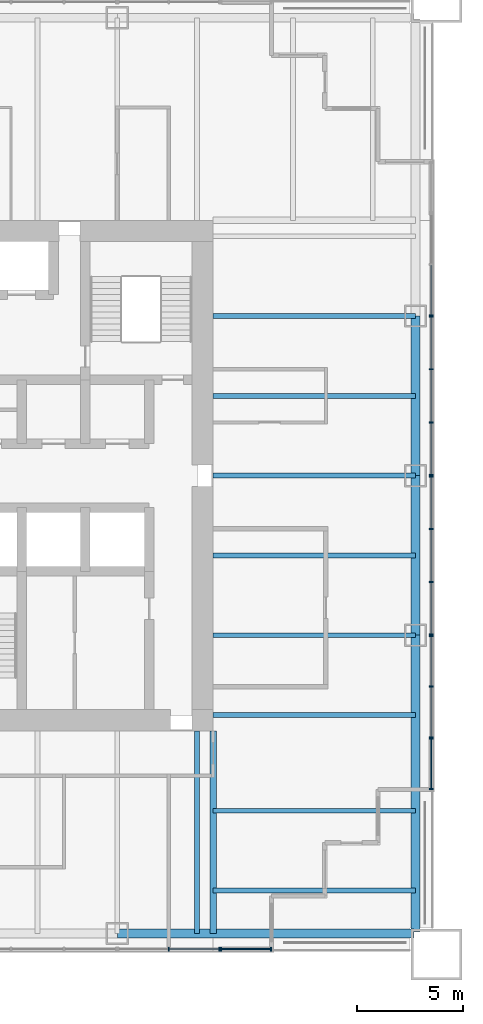
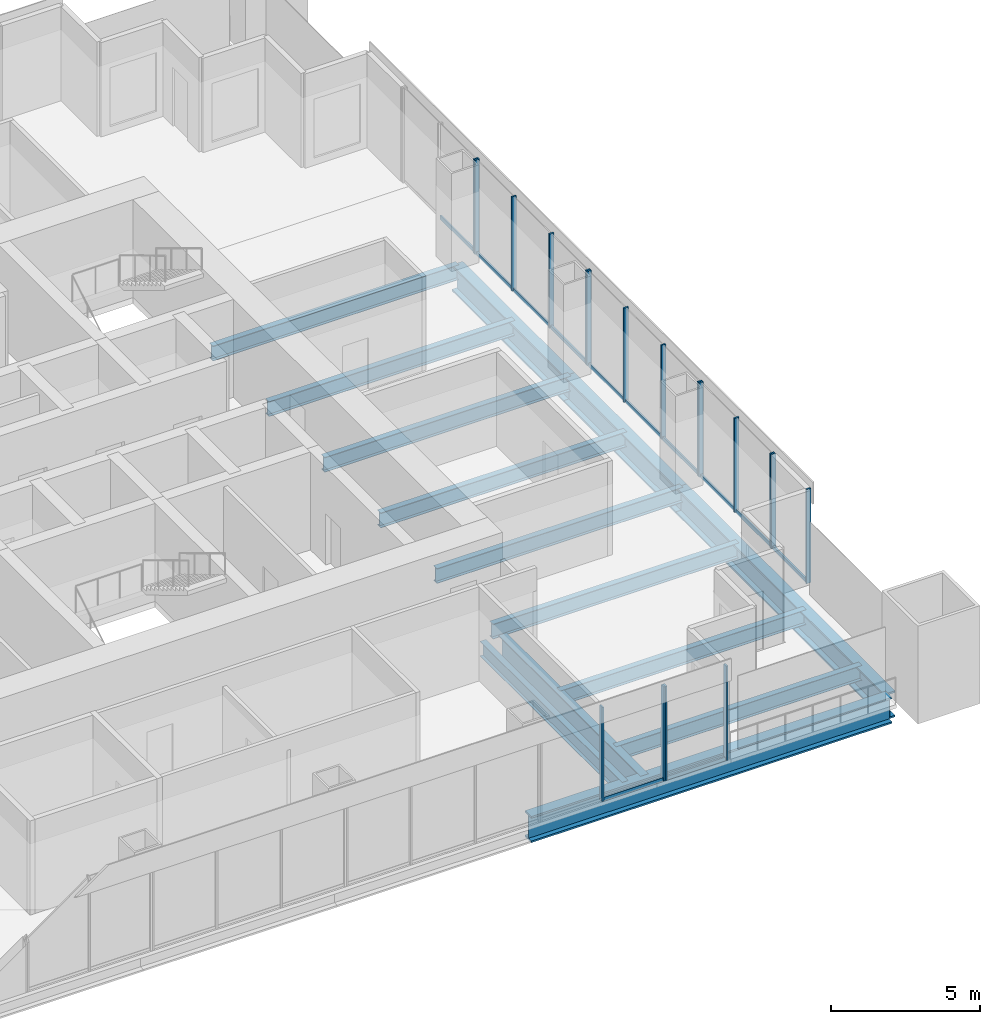
# One storey, part 4 of 13: 30 members, 14 beams, 7 elements without a shape of their own.
"""IFC4 building model written with IfcOpenShell, lengths in metres."""

import ifcopenshell
import ifcopenshell.guid

model = None  # the IFC model being written
_history = None  # IfcOwnerHistory: only IFC2X3 demands one
_inside = {}  # id of a spatial element -> (the spatial element, [elements in it])
_under = {}  # id of a project, library or spatial element -> (it, [spatial elements below it])
_declared = {}  # id of a project -> (the project, [libraries it declares])
_typed = {}  # id of a type object -> (the type object, [elements of that type])
_made_of = {}  # id of a material, layer set ... -> (it, [elements and type objects made of it])


def new_model(schema):
    """Start an empty IFC model of exactly this schema.

    Asked for "IFC4X3", IfcOpenShell would pick the latest addendum, in which some entities
    have other attributes; the version numbers below select the first issue.
    IFC2X3 requires an IfcOwnerHistory on every rooted entity: one is made here for all.
    """
    global model, _history
    if schema == "IFC4X3":
        model = ifcopenshell.file(schema_version=(4, 3, 0, 0))
    else:
        model = ifcopenshell.file(schema=schema)
    _inside.clear()
    _under.clear()
    _declared.clear()
    _typed.clear()
    _made_of.clear()
    _history = None
    if model.schema == "IFC2X3":
        org = make("IfcOrganization", Name="unknown")
        user = make(
            "IfcPersonAndOrganization",
            ThePerson=make("IfcPerson", FamilyName="unknown"),
            TheOrganization=org,
        )
        app = make(
            "IfcApplication",
            ApplicationDeveloper=org,
            Version="unknown",
            ApplicationFullName="unknown",
            ApplicationIdentifier="unknown",
        )
        _history = make(
            "IfcOwnerHistory",
            OwningUser=user,
            OwningApplication=app,
            ChangeAction="ADDED",
            CreationDate=0,
        )
    return model


def make(cls, **values):
    """One entity of the class cls with the attributes given. An attribute that is None is left unset."""
    return model.create_entity(
        cls, **{name: value for name, value in values.items() if value is not None}
    )


def rooted(cls, **values):
    """An entity with a GlobalId (a new one), such as an element, a storey or a relation."""
    return make(cls, GlobalId=ifcopenshell.guid.new(), OwnerHistory=_history, **values)


def si_unit(unit_type, name, prefix=None):
    """IfcSIUnit, for example si_unit("LENGTHUNIT", "METRE", prefix="MILLI")."""
    return make("IfcSIUnit", UnitType=unit_type, Prefix=prefix, Name=name)


def assignment(units):
    """IfcUnitAssignment: the units of a project."""
    return None if units is None else make("IfcUnitAssignment", Units=units)


def point(xyz):
    """IfcCartesianPoint."""
    return None if xyz is None else make("IfcCartesianPoint", Coordinates=xyz)


def direction(xyz):
    """IfcDirection."""
    return None if xyz is None else make("IfcDirection", DirectionRatios=xyz)


def frame(location, z_axis=None, x_axis=None):
    """IfcAxis2Placement3D, a coordinate frame: its origin and axes. An axis left out is left unset."""
    return make(
        "IfcAxis2Placement3D",
        Location=point(location),
        Axis=direction(z_axis),
        RefDirection=direction(x_axis),
    )


def frame_2d(location, x_axis=None):
    """IfcAxis2Placement2D, a coordinate frame in the plane: its origin and x axis."""
    return make(
        "IfcAxis2Placement2D", Location=point(location), RefDirection=direction(x_axis)
    )


def origin():
    """The frame at (0, 0, 0) with its axes left unset."""
    return frame((0.0, 0.0, 0.0))


def origin_2d():
    """The frame at (0, 0) in the plane with its x axis left unset."""
    return frame_2d((0.0, 0.0))


def place(relative_to, where):
    """IfcLocalPlacement: puts the frame where relative to a parent placement (None: the world)."""
    return make(
        "IfcLocalPlacement", PlacementRelTo=relative_to, RelativePlacement=where
    )


def context(
    kind, dimensions, precision=None, world=None, true_north=None, identifier=None
):
    """IfcGeometricRepresentationContext, for example the 3D "Model" context."""
    return make(
        "IfcGeometricRepresentationContext",
        ContextIdentifier=identifier,
        ContextType=kind,
        CoordinateSpaceDimension=dimensions,
        Precision=precision,
        WorldCoordinateSystem=world,
        TrueNorth=true_north,
    )


def subcontext(parent, identifier, kind, view, scale=None):
    """IfcGeometricRepresentationSubContext, for example "Body" below "Model"."""
    return make(
        "IfcGeometricRepresentationSubContext",
        ContextIdentifier=identifier,
        ContextType=kind,
        ParentContext=parent,
        TargetScale=scale,
        TargetView=view,
    )


def project(units=None, contexts=None):
    """IfcProject with its units and contexts."""
    return rooted(
        "IfcProject",
        Name="project",
        RepresentationContexts=contexts,
        UnitsInContext=assignment(units),
    )


def spatial(cls, under=None, at=None, **own):
    """A site, building, storey or space (cls), placed at a placement, below another one or the project."""
    s = rooted(cls, ObjectPlacement=at, **own)
    if under is not None:
        _under.setdefault(under.id(), (under, []))[1].append(s)
    return s


def profile(cls, at=None, kind="AREA", **sizes):
    """A parametric profile (cls). Its sizes go by their IFC names, for example OverallWidth=200.0."""
    return make(cls, ProfileType=kind, Position=at, **sizes)


def rectangle(**sizes):
    """IfcRectangleProfileDef."""
    return profile("IfcRectangleProfileDef", **sizes)


def i_section(**sizes):
    """IfcIShapeProfileDef."""
    return profile("IfcIShapeProfileDef", **sizes)


def extrude(swept, where, along, depth):
    """IfcExtrudedAreaSolid: the profile swept, set in the frame where, extruded along a direction by depth."""
    return make(
        "IfcExtrudedAreaSolid",
        SweptArea=swept,
        Position=where,
        ExtrudedDirection=direction(along),
        Depth=depth,
    )


def shape(context_of_items, identifier, shape_type, items):
    """IfcShapeRepresentation: the items that make up one representation, for example the "Body"."""
    return make(
        "IfcShapeRepresentation",
        ContextOfItems=context_of_items,
        RepresentationIdentifier=identifier,
        RepresentationType=shape_type,
        Items=items,
    )


def material(Name=None, Category=None):
    """IfcMaterial."""
    return make("IfcMaterial", Name=Name, Category=Category)


def material_profile(
    of_material, cross_section, Name=None, Category=None, Priority=None
):
    """IfcMaterialProfile: a cross section and its material."""
    return make(
        "IfcMaterialProfile",
        Name=Name,
        Material=of_material,
        Profile=cross_section,
        Priority=Priority,
        Category=Category,
    )


def profile_set(profiles, Name=None, composite=None):
    """IfcMaterialProfileSet."""
    return make(
        "IfcMaterialProfileSet",
        Name=Name,
        MaterialProfiles=profiles,
        CompositeProfile=composite,
    )


def made_of(thing, what):
    """Note that an element or type object is made of a material, layer set ...; save() writes the relation."""
    if what is not None:
        _made_of.setdefault(what.id(), (what, []))[1].append(thing)
    return thing


def type_object(cls, material=None, **own):
    """A type object (cls), such as IfcWallType, which elements share."""
    return made_of(rooted(cls, **own), material)


def element(
    cls,
    number,
    at=None,
    inside=None,
    cuts=None,
    type_object=None,
    material=None,
    context=None,
    identifier="Body",
    shape_type=None,
    held_by="IfcProductDefinitionShape",
    body=None,
    shapes=None,
    **own,
):
    """One element of the class cls, such as IfcWall. Its Tag is "e" and its number.

    at: its placement. inside: the storey or other place that contains it. cuts: it is an
    opening in that element (IfcRelVoidsElement). A single representation is given by context,
    identifier, shape_type and body (its items); several are given by shapes. held_by: the class
    of the entity that holds the representations. save() writes the other relations.
    """
    e = rooted(cls, Tag="e%d" % number, ObjectPlacement=at, **own)
    if body is not None:
        shapes = [shape(context, identifier, shape_type, body)]
    if shapes is not None:
        e.Representation = make(held_by, Representations=shapes)
    if inside is not None:
        _inside.setdefault(inside.id(), (inside, []))[1].append(e)
    if cuts is not None:
        rooted(
            "IfcRelVoidsElement", RelatingBuildingElement=cuts, RelatedOpeningElement=e
        )
    if type_object is not None:
        _typed.setdefault(type_object.id(), (type_object, []))[1].append(e)
    return made_of(e, material)


def aggregate(whole, parts):
    """IfcRelAggregates: a whole, such as a stair, and the parts it consists of."""
    return rooted("IfcRelAggregates", RelatingObject=whole, RelatedObjects=parts)


def save(model, path):
    """Write the relations noted so far, then the file.

    IfcRelAggregates (storeys below a building ...), IfcRelContainedInSpatialStructure (elements
    in a storey), IfcRelDefinesByType, IfcRelAssociatesMaterial and IfcRelDeclares: one each for
    every whole, place, type object, material and project.
    """
    for whole, parts in _under.values():
        aggregate(whole, parts)
    for where, things in _inside.values():
        rooted(
            "IfcRelContainedInSpatialStructure",
            RelatedElements=things,
            RelatingStructure=where,
        )
    for kind, things in _typed.values():
        rooted("IfcRelDefinesByType", RelatedObjects=things, RelatingType=kind)
    for what, things in _made_of.values():
        rooted("IfcRelAssociatesMaterial", RelatedObjects=things, RelatingMaterial=what)
    for by, libraries in _declared.values():
        rooted("IfcRelDeclares", RelatingContext=by, RelatedDefinitions=libraries)
    model.write(path)


model = new_model("IFC4")

# Units and contexts
model_context = context("Model", 3, precision=1e-05, world=origin(), true_north=direction((0.0, 1.0)))
body_context = subcontext(model_context, "Body", "Model", "MODEL_VIEW")
ifc_project = project(units=[si_unit("LENGTHUNIT", "METRE"), si_unit("AREAUNIT", "SQUARE_METRE"), si_unit("VOLUMEUNIT", "CUBIC_METRE"), si_unit("PLANEANGLEUNIT", "RADIAN"), si_unit("MASSUNIT", "GRAM", prefix="KILO")], contexts=[model_context])

# Site, building, storey
site_placement = place(None, origin())
site = spatial("IfcSite", under=ifc_project, at=site_placement, CompositionType="ELEMENT")
building_placement = place(site_placement, origin())
building = spatial("IfcBuilding", under=site, at=building_placement, Name="Tarangal Relay Tower", CompositionType="ELEMENT")
storey_placement = place(building_placement, frame((0.0, 0.0, 245.89990234375)))
storey = spatial("IfcBuildingStorey", under=building, at=storey_placement, Name="L53", CompositionType="ELEMENT", Elevation=245.89990234375)

# Beams
ifc_material_1 = material(Name="Steel ASTM A992", Category="steel")
ifc_material_profile_1 = material_profile(ifc_material_1, i_section(OverallWidth=0.227783203125, OverallDepth=0.60205078125, WebThickness=0.010498046875, FlangeThickness=0.014892578125, at=origin_2d()), Name="W24X68")
ifc_profile_set_1 = profile_set([ifc_material_profile_1], Name="Steel ASTM A992")
beam_type_1 = type_object("IfcBeamType", Name="Corner beam W24X68", PredefinedType="JOIST", material=ifc_profile_set_1)
for number, where, z_axis, x_axis, name in (
    (1, (12.0, -15.75, -0.450927734375), (1.0, 0.0, 0.0), (0.0, 1.0, 0.0), "Corner beam CB11 E L53"),
    (2, (12.0, -19.5, -0.450927734375), (1.0, 0.0, 0.0), (0.0, 1.0, 0.0), "Corner beam CB11 E L53"),
):
    element("IfcBeam", number, at=place(storey_placement, frame(where, z_axis=z_axis, x_axis=x_axis)), inside=storey, type_object=beam_type_1, Name=name, PredefinedType="JOIST", context=body_context, shape_type="SweptSolid", body=[
        extrude(i_section(OverallWidth=0.227783203125, OverallDepth=0.60205078125, WebThickness=0.010498046875, FlangeThickness=0.014892578125, at=origin_2d()), origin(), (0.0, 0.0, 1.0), 9.514892578125),
    ])
ifc_material_profile_2 = material_profile(ifc_material_1, i_section(OverallWidth=0.307373046875, OverallDepth=0.9423828125, WebThickness=0.022216796875, FlangeThickness=0.039794921875, at=origin_2d()), Name="W36X232")
ifc_profile_set_2 = profile_set([ifc_material_profile_2], Name="Steel ASTM A992")
beam_type_2 = type_object("IfcBeamType", Name="Corner girder W36X232", PredefinedType="BEAM", material=ifc_profile_set_2)
beam_placement = place(storey_placement, frame((12.0, -12.0, -0.62109375), z_axis=(0.0, -1.0, 0.0), x_axis=(1.0, 0.0, 0.0)))
element("IfcBeam", 3, at=beam_placement, inside=storey, type_object=beam_type_2, Name="Corner girder CG4 E L53", PredefinedType="BEAM", context=body_context, shape_type="SweptSolid", body=[
    extrude(i_section(OverallWidth=0.307373046875, OverallDepth=0.9423828125, WebThickness=0.022216796875, FlangeThickness=0.039794921875, at=origin_2d()), origin(), (0.0, 0.0, 1.0), 9.514892578125),
])
ifc_material_profile_3 = material_profile(ifc_material_1, i_section(OverallWidth=0.41650390625, OverallDepth=1.0693359375, WebThickness=0.0390625, FlangeThickness=0.070068359375, at=origin_2d()), Name="W40X503")
ifc_profile_set_3 = profile_set([ifc_material_profile_3], Name="Steel ASTM A992")
beam_type_3 = type_object("IfcBeamType", Name="Edge girder W40X503", PredefinedType="SPANDREL", material=ifc_profile_set_3)
for number, where, z_axis, x_axis, name in (
    (4, (21.514892578125, 7.5, -0.6845703125), (0.0, -1.0, 0.0), (1.0, 0.0, 0.0), "Edge girder EG8 E L53"),
    (5, (21.514892578125, 0.0, -0.6845703125), (0.0, -1.0, 0.0), (1.0, 0.0, 0.0), "Edge girder EG8 E L53"),
):
    element("IfcBeam", number, at=place(storey_placement, frame(where, z_axis=z_axis, x_axis=x_axis)), inside=storey, type_object=beam_type_3, Name=name, PredefinedType="SPANDREL", context=body_context, shape_type="SweptSolid", body=[
        extrude(i_section(OverallWidth=0.41650390625, OverallDepth=1.0693359375, WebThickness=0.0390625, FlangeThickness=0.070068359375, at=origin_2d()), origin(), (0.0, 0.0, 1.0), 7.5),
    ])
for number, where, z_axis, x_axis, name in (
    (6, (21.514892578125, -7.5, -0.6845703125), (0.0, -1.0, 0.0), (1.0, 0.0, 0.0), "Edge girder EG8 E L53"),
    (7, (21.449951171875, -21.514892578125, -0.6845703125), (-1.0, 0.0, 0.0), (0.0, -1.0, 0.0), "Edge girder EG8 S L53"),
):
    element("IfcBeam", number, at=place(storey_placement, frame(where, z_axis=z_axis, x_axis=x_axis)), inside=storey, type_object=beam_type_3, Name=name, PredefinedType="SPANDREL", context=body_context, shape_type="SweptSolid", body=[
        extrude(i_section(OverallWidth=0.41650390625, OverallDepth=1.0693359375, WebThickness=0.0390625, FlangeThickness=0.070068359375, at=origin_2d()), origin(), (0.0, 0.0, 1.0), 13.949951171875),
    ])
ifc_material_profile_4 = material_profile(ifc_material_1, i_section(OverallWidth=0.22900390625, OverallDepth=0.612060546875, WebThickness=0.011962890625, FlangeThickness=0.01953125, at=origin_2d()), Name="W24X84")
ifc_profile_set_4 = profile_set([ifc_material_profile_4], Name="Steel ASTM A992")
beam_type_4 = type_object("IfcBeamType", Name="Floor beam W24X84", PredefinedType="BEAM", material=ifc_profile_set_4)
for number, where, z_axis, x_axis, name in (
    (8, (12.0, 7.5, -0.455810546875), (1.0, 0.0, 0.0), (0.0, 1.0, 0.0), "Floor beam RB12 E L53"),
    (9, (12.0, 3.75, -0.455810546875), (1.0, 0.0, 0.0), (0.0, 1.0, 0.0), "Floor beam RB12 E L53"),
    (10, (12.0, 0.0, -0.455810546875), (1.0, 0.0, 0.0), (0.0, 1.0, 0.0), "Floor beam RB12 E L53"),
    (11, (12.0, -3.75, -0.455810546875), (1.0, 0.0, 0.0), (0.0, 1.0, 0.0), "Floor beam RB12 E L53"),
    (12, (12.0, -7.5, -0.455810546875), (1.0, 0.0, 0.0), (0.0, 1.0, 0.0), "Floor beam RB12 E L53"),
    (13, (12.0, -11.25, -0.455810546875), (1.0, 0.0, 0.0), (0.0, 1.0, 0.0), "Floor beam RB12 E L53"),
    (14, (11.25, -12.0, -0.455810546875), (0.0, -1.0, 0.0), (1.0, 0.0, 0.0), "Floor beam RB12 S L53"),
):
    element("IfcBeam", number, at=place(storey_placement, frame(where, z_axis=z_axis, x_axis=x_axis)), inside=storey, type_object=beam_type_4, Name=name, PredefinedType="BEAM", context=body_context, shape_type="SweptSolid", body=[
        extrude(i_section(OverallWidth=0.22900390625, OverallDepth=0.612060546875, WebThickness=0.011962890625, FlangeThickness=0.01953125, at=origin_2d()), origin(), (0.0, 0.0, 1.0), 9.514892578125),
    ])

# Curtain wall, member
ifc_material_2 = material(Name="Unitised curtain wall, dark glass and black aluminium", Category="aluminium")
curtain_wall_type_1 = type_object("IfcCurtainWallType", Name="Curtain wall CW-A", PredefinedType="USERDEFINED", material=ifc_material_2)
curtain_wall_1_placement = place(storey_placement, origin())
curtain_wall_1 = element("IfcCurtainWall", 15, at=curtain_wall_1_placement, inside=storey, type_object=curtain_wall_type_1, Name="Curtain wall CW-A E facade L53", ObjectType="UNITISED CURTAIN WALL", PredefinedType="USERDEFINED")
ifc_material_3 = material(Name="Black anodised aluminium mullion", Category="aluminium")
ifc_material_profile_5 = material_profile(ifc_material_3, rectangle(XDim=0.175048828125, YDim=0.06494140625, at=origin_2d()), Name="CW-AM 65X175")
ifc_profile_set_5 = profile_set([ifc_material_profile_5], Name="Black anodised aluminium mullion")
member_type_1 = type_object("IfcMemberType", Name="Mullion CW-A 65 x 175", PredefinedType="MULLION", material=ifc_profile_set_5)
member_1_placement = place(storey_placement, frame((22.25, 7.532470703125, 0.0), z_axis=(0.0, 0.0, 1.0), x_axis=(1.0, 0.0, 0.0)))
member_1 = element("IfcMember", 16, at=member_1_placement, type_object=member_type_1, Name="CW-A mullion 3", PredefinedType="MULLION", context=body_context, shape_type="SweptSolid", body=[
    extrude(rectangle(XDim=0.175048828125, YDim=0.06494140625, at=origin_2d()), origin(), (0.0, 0.0, 1.0), 3.85009765625),
])

# Curtain wall, members
curtain_wall_2_placement = place(storey_placement, origin())
curtain_wall_2 = element("IfcCurtainWall", 17, at=curtain_wall_2_placement, inside=storey, type_object=curtain_wall_type_1, Name="Curtain wall CW-A E facade L53", ObjectType="UNITISED CURTAIN WALL", PredefinedType="USERDEFINED")
member_2_placement = place(storey_placement, frame((22.25, 7.467529296875, 0.0), z_axis=(0.0, 0.0, 1.0), x_axis=(1.0, 0.0, 0.0)))
member_2 = element("IfcMember", 18, at=member_2_placement, type_object=member_type_1, Name="CW-A mullion 1", PredefinedType="MULLION", context=body_context, shape_type="SweptSolid", body=[
    extrude(rectangle(XDim=0.175048828125, YDim=0.06494140625, at=origin_2d()), origin(), (0.0, 0.0, 1.0), 3.85009765625),
])
member_3_placement = place(storey_placement, frame((22.25, 5.0, 0.0), z_axis=(0.0, 0.0, 1.0), x_axis=(1.0, 0.0, 0.0)))
member_3 = element("IfcMember", 19, at=member_3_placement, type_object=member_type_1, Name="CW-A mullion 2", PredefinedType="MULLION", context=body_context, shape_type="SweptSolid", body=[
    extrude(rectangle(XDim=0.175048828125, YDim=0.06494140625, at=origin_2d()), origin(), (0.0, 0.0, 1.0), 3.85009765625),
])
member_4_placement = place(storey_placement, frame((22.25, 2.5, 0.0), z_axis=(0.0, 0.0, 1.0), x_axis=(1.0, 0.0, 0.0)))
member_4 = element("IfcMember", 20, at=member_4_placement, type_object=member_type_1, Name="CW-A mullion 3", PredefinedType="MULLION", context=body_context, shape_type="SweptSolid", body=[
    extrude(rectangle(XDim=0.175048828125, YDim=0.06494140625, at=origin_2d()), origin(), (0.0, 0.0, 1.0), 3.85009765625),
])
member_5_placement = place(storey_placement, frame((22.25, 0.032470703125, 0.0), z_axis=(0.0, 0.0, 1.0), x_axis=(1.0, 0.0, 0.0)))
member_5 = element("IfcMember", 21, at=member_5_placement, type_object=member_type_1, Name="CW-A mullion 4", PredefinedType="MULLION", context=body_context, shape_type="SweptSolid", body=[
    extrude(rectangle(XDim=0.175048828125, YDim=0.06494140625, at=origin_2d()), origin(), (0.0, 0.0, 1.0), 3.85009765625),
])

curtain_wall_3_placement = place(storey_placement, origin())
curtain_wall_3 = element("IfcCurtainWall", 22, at=curtain_wall_3_placement, inside=storey, type_object=curtain_wall_type_1, Name="Curtain wall CW-A E facade L53", ObjectType="UNITISED CURTAIN WALL", PredefinedType="USERDEFINED")
member_6_placement = place(storey_placement, frame((22.25, -0.032470703125, 0.0), z_axis=(0.0, 0.0, 1.0), x_axis=(1.0, 0.0, 0.0)))
member_6 = element("IfcMember", 23, at=member_6_placement, type_object=member_type_1, Name="CW-A mullion 1", PredefinedType="MULLION", context=body_context, shape_type="SweptSolid", body=[
    extrude(rectangle(XDim=0.175048828125, YDim=0.06494140625, at=origin_2d()), origin(), (0.0, 0.0, 1.0), 3.85009765625),
])
member_7_placement = place(storey_placement, frame((22.25, -2.5, 0.0), z_axis=(0.0, 0.0, 1.0), x_axis=(1.0, 0.0, 0.0)))
member_7 = element("IfcMember", 24, at=member_7_placement, type_object=member_type_1, Name="CW-A mullion 2", PredefinedType="MULLION", context=body_context, shape_type="SweptSolid", body=[
    extrude(rectangle(XDim=0.175048828125, YDim=0.06494140625, at=origin_2d()), origin(), (0.0, 0.0, 1.0), 3.85009765625),
])
member_8_placement = place(storey_placement, frame((22.25, -5.0, 0.0), z_axis=(0.0, 0.0, 1.0), x_axis=(1.0, 0.0, 0.0)))
member_8 = element("IfcMember", 25, at=member_8_placement, type_object=member_type_1, Name="CW-A mullion 3", PredefinedType="MULLION", context=body_context, shape_type="SweptSolid", body=[
    extrude(rectangle(XDim=0.175048828125, YDim=0.06494140625, at=origin_2d()), origin(), (0.0, 0.0, 1.0), 3.85009765625),
])
member_9_placement = place(storey_placement, frame((22.25, -7.467529296875, 0.0), z_axis=(0.0, 0.0, 1.0), x_axis=(1.0, 0.0, 0.0)))
member_9 = element("IfcMember", 26, at=member_9_placement, type_object=member_type_1, Name="CW-A mullion 4", PredefinedType="MULLION", context=body_context, shape_type="SweptSolid", body=[
    extrude(rectangle(XDim=0.175048828125, YDim=0.06494140625, at=origin_2d()), origin(), (0.0, 0.0, 1.0), 3.85009765625),
])

curtain_wall_4_placement = place(storey_placement, origin())
curtain_wall_4 = element("IfcCurtainWall", 27, at=curtain_wall_4_placement, inside=storey, type_object=curtain_wall_type_1, Name="Curtain wall CW-A E facade L53", ObjectType="UNITISED CURTAIN WALL", PredefinedType="USERDEFINED")
member_10_placement = place(storey_placement, frame((22.25, -7.532470703125, 0.0), z_axis=(0.0, 0.0, 1.0), x_axis=(1.0, 0.0, 0.0)))
member_10 = element("IfcMember", 28, at=member_10_placement, type_object=member_type_1, Name="CW-A mullion 1", PredefinedType="MULLION", context=body_context, shape_type="SweptSolid", body=[
    extrude(rectangle(XDim=0.175048828125, YDim=0.06494140625, at=origin_2d()), origin(), (0.0, 0.0, 1.0), 3.85009765625),
])
member_11_placement = place(storey_placement, frame((22.25, -9.916748046875, 0.0), z_axis=(0.0, 0.0, 1.0), x_axis=(1.0, 0.0, 0.0)))
member_11 = element("IfcMember", 29, at=member_11_placement, type_object=member_type_1, Name="CW-A mullion 2", PredefinedType="MULLION", context=body_context, shape_type="SweptSolid", body=[
    extrude(rectangle(XDim=0.175048828125, YDim=0.06494140625, at=origin_2d()), origin(), (0.0, 0.0, 1.0), 3.85009765625),
])
member_12_placement = place(storey_placement, frame((22.25, -12.30078125, 0.0), z_axis=(0.0, 0.0, 1.0), x_axis=(1.0, 0.0, 0.0)))
member_12 = element("IfcMember", 30, at=member_12_placement, type_object=member_type_1, Name="CW-A mullion 3", PredefinedType="MULLION", context=body_context, shape_type="SweptSolid", body=[
    extrude(rectangle(XDim=0.175048828125, YDim=0.06494140625, at=origin_2d()), origin(), (0.0, 0.0, 1.0), 3.85009765625),
])

curtain_wall_5_placement = place(storey_placement, origin())
curtain_wall_5 = element("IfcCurtainWall", 31, at=curtain_wall_5_placement, inside=storey, type_object=curtain_wall_type_1, Name="Curtain wall CW-A S facade L53", ObjectType="UNITISED CURTAIN WALL", PredefinedType="USERDEFINED")
member_13_placement = place(storey_placement, frame((12.30078125, -22.25, 0.0), z_axis=(0.0, 0.0, 1.0), x_axis=(0.0, -1.0, 0.0)))
member_13 = element("IfcMember", 32, at=member_13_placement, type_object=member_type_1, Name="CW-A mullion 1", PredefinedType="MULLION", context=body_context, shape_type="SweptSolid", body=[
    extrude(rectangle(XDim=0.175048828125, YDim=0.06494140625, at=origin_2d()), origin(), (0.0, 0.0, 1.0), 3.85009765625),
])
member_14_placement = place(storey_placement, frame((9.916748046875, -22.25, 0.0), z_axis=(0.0, 0.0, 1.0), x_axis=(0.0, -1.0, 0.0)))
member_14 = element("IfcMember", 33, at=member_14_placement, type_object=member_type_1, Name="CW-A mullion 2", PredefinedType="MULLION", context=body_context, shape_type="SweptSolid", body=[
    extrude(rectangle(XDim=0.175048828125, YDim=0.06494140625, at=origin_2d()), origin(), (0.0, 0.0, 1.0), 3.85009765625),
])

ifc_material_4 = material(Name="Unitised curtain wall frame, black aluminium, with metal clad infill walls", Category="aluminium")
curtain_wall_type_2 = type_object("IfcCurtainWallType", Name="Curtain wall CW-AO", PredefinedType="USERDEFINED", material=ifc_material_4)
curtain_wall_6_placement = place(storey_placement, origin())
curtain_wall_6 = element("IfcCurtainWall", 34, at=curtain_wall_6_placement, inside=storey, type_object=curtain_wall_type_2, Name="Curtain wall CW-AO E facade L53", ObjectType="UNITISED CURTAIN WALL", PredefinedType="USERDEFINED")
ifc_material_profile_6 = material_profile(ifc_material_3, rectangle(XDim=0.175048828125, YDim=0.06494140625, at=origin_2d()), Name="CW-AOM 65X175")
ifc_profile_set_6 = profile_set([ifc_material_profile_6], Name="Black anodised aluminium mullion")
member_type_2 = type_object("IfcMemberType", Name="Mullion CW-AO 65 x 175", PredefinedType="MULLION", material=ifc_profile_set_6)
member_15_placement = place(storey_placement, frame((22.25, -12.36572265625, 0.0), z_axis=(0.0, 0.0, 1.0), x_axis=(1.0, 0.0, 0.0)))
member_15 = element("IfcMember", 35, at=member_15_placement, type_object=member_type_2, Name="CW-AO mullion 1", PredefinedType="MULLION", context=body_context, shape_type="SweptSolid", body=[
    extrude(rectangle(XDim=0.175048828125, YDim=0.06494140625, at=origin_2d()), origin(), (0.0, 0.0, 1.0), 3.85009765625),
])
member_16_placement = place(storey_placement, frame((22.25, -14.717529296875, 0.0), z_axis=(0.0, 0.0, 1.0), x_axis=(1.0, 0.0, 0.0)))
member_16 = element("IfcMember", 36, at=member_16_placement, type_object=member_type_2, Name="CW-AO mullion 2", PredefinedType="MULLION", context=body_context, shape_type="SweptSolid", body=[
    extrude(rectangle(XDim=0.175048828125, YDim=0.06494140625, at=origin_2d()), origin(), (0.0, 0.0, 1.0), 3.85009765625),
])

curtain_wall_7_placement = place(storey_placement, origin())
curtain_wall_7 = element("IfcCurtainWall", 37, at=curtain_wall_7_placement, inside=storey, type_object=curtain_wall_type_2, Name="Curtain wall CW-AO S facade L53", ObjectType="UNITISED CURTAIN WALL", PredefinedType="USERDEFINED")
member_17_placement = place(storey_placement, frame((14.717529296875, -22.25, 0.0), z_axis=(0.0, 0.0, 1.0), x_axis=(0.0, -1.0, 0.0)))
member_17 = element("IfcMember", 38, at=member_17_placement, type_object=member_type_2, Name="CW-AO mullion 1", PredefinedType="MULLION", context=body_context, shape_type="SweptSolid", body=[
    extrude(rectangle(XDim=0.175048828125, YDim=0.06494140625, at=origin_2d()), origin(), (0.0, 0.0, 1.0), 3.85009765625),
])
member_18_placement = place(storey_placement, frame((12.36572265625, -22.25, 0.0), z_axis=(0.0, 0.0, 1.0), x_axis=(0.0, -1.0, 0.0)))
member_18 = element("IfcMember", 39, at=member_18_placement, type_object=member_type_2, Name="CW-AO mullion 2", PredefinedType="MULLION", context=body_context, shape_type="SweptSolid", body=[
    extrude(rectangle(XDim=0.175048828125, YDim=0.06494140625, at=origin_2d()), origin(), (0.0, 0.0, 1.0), 3.85009765625),
])

# Member
ifc_material_5 = material(Name="Black anodised aluminium transom", Category="aluminium")
ifc_material_profile_7 = material_profile(ifc_material_5, rectangle(XDim=0.06494140625, YDim=0.14990234375, at=origin_2d()), Name="CW-AT 65X150")
ifc_profile_set_7 = profile_set([ifc_material_profile_7], Name="Black anodised aluminium transom")
member_type_3 = type_object("IfcMemberType", Name="Transom CW-A 65 x 150", PredefinedType="USERDEFINED", material=ifc_profile_set_7)
member_19_placement = place(storey_placement, frame((22.25, 9.884033203125, 0.03271484375), z_axis=(0.0, -1.0, 0.0), x_axis=(1.0, 0.0, 0.0)))
member_19 = element("IfcMember", 40, at=member_19_placement, type_object=member_type_3, Name="CW-A transom 2.1", ObjectType="TRANSOM", PredefinedType="USERDEFINED", context=body_context, shape_type="SweptSolid", body=[
    extrude(rectangle(XDim=0.06494140625, YDim=0.14990234375, at=origin_2d()), origin(), (0.0, 0.0, 1.0), 2.319091796875),
])

aggregate(curtain_wall_1, [member_1, member_19])

member_20_placement = place(storey_placement, frame((22.25, 7.43505859375, 0.03271484375), z_axis=(0.0, -1.0, 0.0), x_axis=(1.0, 0.0, 0.0)))
member_20 = element("IfcMember", 41, at=member_20_placement, type_object=member_type_3, Name="CW-A transom 1.1", ObjectType="TRANSOM", PredefinedType="USERDEFINED", context=body_context, shape_type="SweptSolid", body=[
    extrude(rectangle(XDim=0.06494140625, YDim=0.14990234375, at=origin_2d()), origin(), (0.0, 0.0, 1.0), 2.402587890625),
])

member_21_placement = place(storey_placement, frame((22.25, 4.967529296875, 0.03271484375), z_axis=(0.0, -1.0, 0.0), x_axis=(1.0, 0.0, 0.0)))
member_21 = element("IfcMember", 42, at=member_21_placement, type_object=member_type_3, Name="CW-A transom 2.1", ObjectType="TRANSOM", PredefinedType="USERDEFINED", context=body_context, shape_type="SweptSolid", body=[
    extrude(rectangle(XDim=0.06494140625, YDim=0.14990234375, at=origin_2d()), origin(), (0.0, 0.0, 1.0), 2.43505859375),
])

member_22_placement = place(storey_placement, frame((22.25, 2.467529296875, 0.03271484375), z_axis=(0.0, -1.0, 0.0), x_axis=(1.0, 0.0, 0.0)))
member_22 = element("IfcMember", 43, at=member_22_placement, type_object=member_type_3, Name="CW-A transom 3.1", ObjectType="TRANSOM", PredefinedType="USERDEFINED", context=body_context, shape_type="SweptSolid", body=[
    extrude(rectangle(XDim=0.06494140625, YDim=0.14990234375, at=origin_2d()), origin(), (0.0, 0.0, 1.0), 2.402587890625),
])

aggregate(curtain_wall_2, [member_2, member_3, member_4, member_5, member_20, member_21, member_22])

member_23_placement = place(storey_placement, frame((22.25, -0.06494140625, 0.03271484375), z_axis=(0.0, -1.0, 0.0), x_axis=(1.0, 0.0, 0.0)))
member_23 = element("IfcMember", 44, at=member_23_placement, type_object=member_type_3, Name="CW-A transom 1.1", ObjectType="TRANSOM", PredefinedType="USERDEFINED", context=body_context, shape_type="SweptSolid", body=[
    extrude(rectangle(XDim=0.06494140625, YDim=0.14990234375, at=origin_2d()), origin(), (0.0, 0.0, 1.0), 2.402587890625),
])

member_24_placement = place(storey_placement, frame((22.25, -2.532470703125, 0.03271484375), z_axis=(0.0, -1.0, 0.0), x_axis=(1.0, 0.0, 0.0)))
member_24 = element("IfcMember", 45, at=member_24_placement, type_object=member_type_3, Name="CW-A transom 2.1", ObjectType="TRANSOM", PredefinedType="USERDEFINED", context=body_context, shape_type="SweptSolid", body=[
    extrude(rectangle(XDim=0.06494140625, YDim=0.14990234375, at=origin_2d()), origin(), (0.0, 0.0, 1.0), 2.43505859375),
])

member_25_placement = place(storey_placement, frame((22.25, -5.032470703125, 0.03271484375), z_axis=(0.0, -1.0, 0.0), x_axis=(1.0, 0.0, 0.0)))
member_25 = element("IfcMember", 46, at=member_25_placement, type_object=member_type_3, Name="CW-A transom 3.1", ObjectType="TRANSOM", PredefinedType="USERDEFINED", context=body_context, shape_type="SweptSolid", body=[
    extrude(rectangle(XDim=0.06494140625, YDim=0.14990234375, at=origin_2d()), origin(), (0.0, 0.0, 1.0), 2.402587890625),
])

aggregate(curtain_wall_3, [member_6, member_7, member_8, member_9, member_23, member_24, member_25])

member_26_placement = place(storey_placement, frame((22.25, -7.56494140625, 0.03271484375), z_axis=(0.0, -1.0, 0.0), x_axis=(1.0, 0.0, 0.0)))
member_26 = element("IfcMember", 47, at=member_26_placement, type_object=member_type_3, Name="CW-A transom 1.1", ObjectType="TRANSOM", PredefinedType="USERDEFINED", context=body_context, shape_type="SweptSolid", body=[
    extrude(rectangle(XDim=0.06494140625, YDim=0.14990234375, at=origin_2d()), origin(), (0.0, 0.0, 1.0), 2.319091796875),
])

member_27_placement = place(storey_placement, frame((22.25, -9.94921875, 0.03271484375), z_axis=(0.0, -1.0, 0.0), x_axis=(1.0, 0.0, 0.0)))
member_27 = element("IfcMember", 48, at=member_27_placement, type_object=member_type_3, Name="CW-A transom 2.1", ObjectType="TRANSOM", PredefinedType="USERDEFINED", context=body_context, shape_type="SweptSolid", body=[
    extrude(rectangle(XDim=0.06494140625, YDim=0.14990234375, at=origin_2d()), origin(), (0.0, 0.0, 1.0), 2.319091796875),
])

aggregate(curtain_wall_4, [member_10, member_11, member_12, member_26, member_27])

member_28_placement = place(storey_placement, frame((12.268310546875, -22.25, 0.03271484375), z_axis=(-1.0, 0.0, 0.0), x_axis=(0.0, -1.0, 0.0)))
member_28 = element("IfcMember", 49, at=member_28_placement, type_object=member_type_3, Name="CW-A transom 1.1", ObjectType="TRANSOM", PredefinedType="USERDEFINED", context=body_context, shape_type="SweptSolid", body=[
    extrude(rectangle(XDim=0.06494140625, YDim=0.14990234375, at=origin_2d()), origin(), (0.0, 0.0, 1.0), 2.319091796875),
])

aggregate(curtain_wall_5, [member_13, member_14, member_28])

ifc_material_profile_8 = material_profile(ifc_material_5, rectangle(XDim=0.06494140625, YDim=0.14990234375, at=origin_2d()), Name="CW-AOT 65X150")
ifc_profile_set_8 = profile_set([ifc_material_profile_8], Name="Black anodised aluminium transom")
member_type_4 = type_object("IfcMemberType", Name="Transom CW-AO 65 x 150", PredefinedType="USERDEFINED", material=ifc_profile_set_8)
member_29_placement = place(storey_placement, frame((22.25, -12.398193359375, 0.03271484375), z_axis=(0.0, -1.0, 0.0), x_axis=(1.0, 0.0, 0.0)))
member_29 = element("IfcMember", 50, at=member_29_placement, type_object=member_type_4, Name="CW-AO transom 1.1", ObjectType="TRANSOM", PredefinedType="USERDEFINED", context=body_context, shape_type="SweptSolid", body=[
    extrude(rectangle(XDim=0.06494140625, YDim=0.14990234375, at=origin_2d()), origin(), (0.0, 0.0, 1.0), 2.286865234375),
])

aggregate(curtain_wall_6, [member_15, member_16, member_29])

member_30_placement = place(storey_placement, frame((14.68505859375, -22.25, 0.03271484375), z_axis=(-1.0, 0.0, 0.0), x_axis=(0.0, -1.0, 0.0)))
member_30 = element("IfcMember", 51, at=member_30_placement, type_object=member_type_4, Name="CW-AO transom 1.1", ObjectType="TRANSOM", PredefinedType="USERDEFINED", context=body_context, shape_type="SweptSolid", body=[
    extrude(rectangle(XDim=0.06494140625, YDim=0.14990234375, at=origin_2d()), origin(), (0.0, 0.0, 1.0), 2.286865234375),
])

aggregate(curtain_wall_7, [member_17, member_18, member_30])

save(model, "model.ifc")
